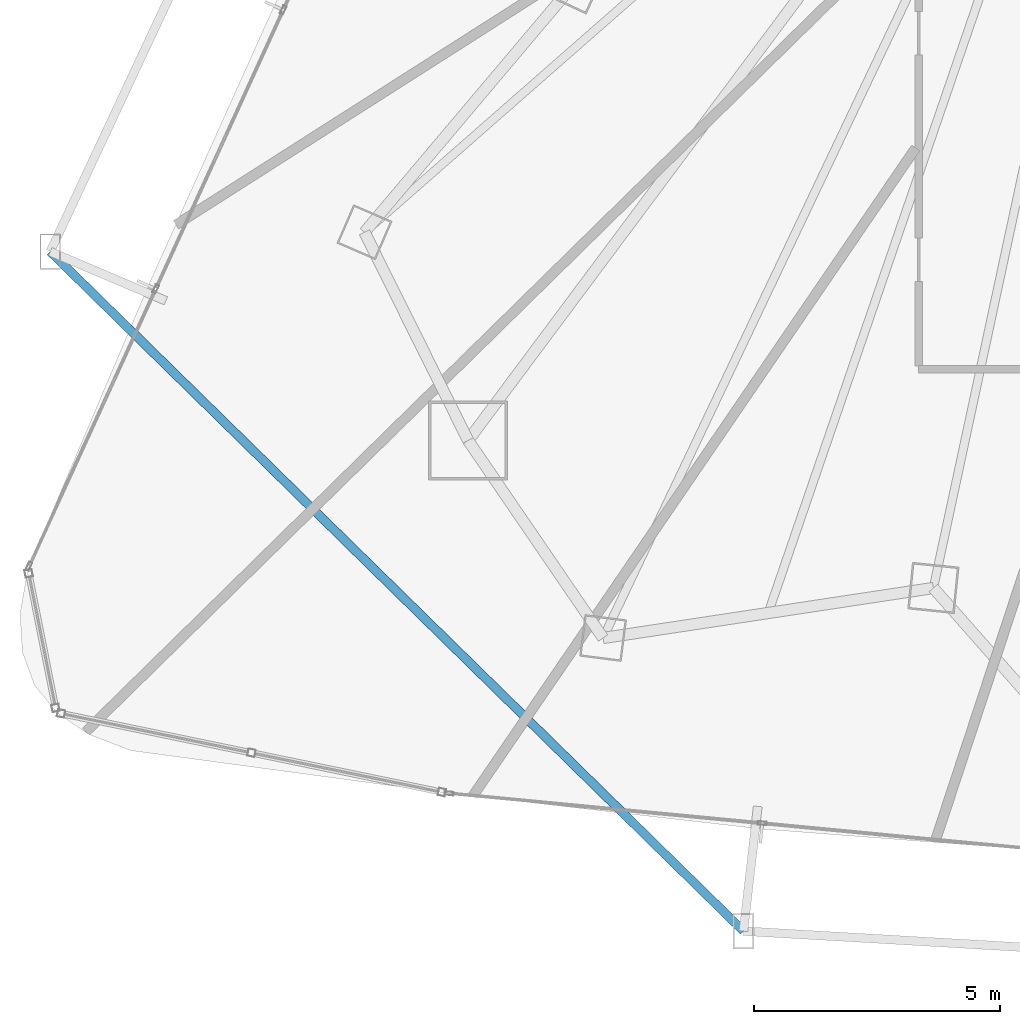
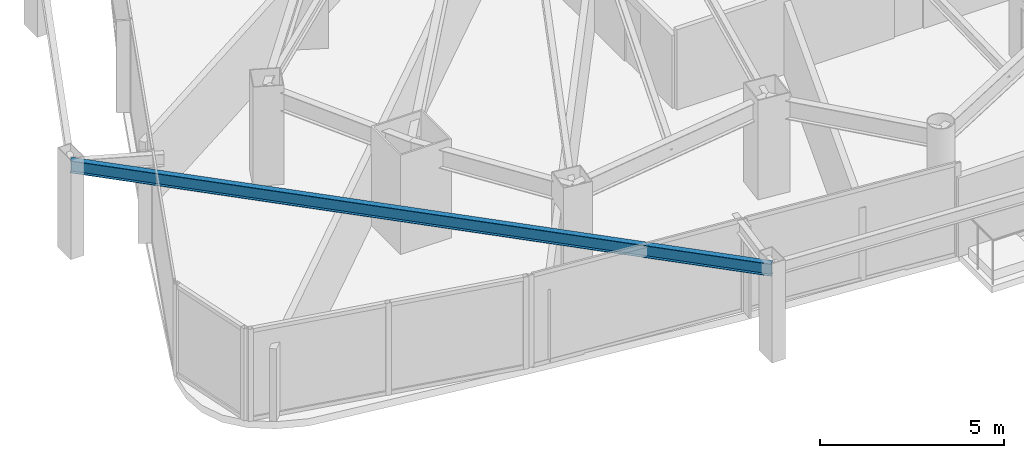
# One storey, part 3 of 34: 1 beam.
"""IFC4 building model written with IfcOpenShell, lengths in metres."""

from ifc_helpers import new_model, si_unit, direction, frame, origin, origin_2d, place, context, subcontext, project, spatial, i_section, extrude, material, material_profile, profile_set, type_object, element, save


model = new_model("IFC4")

# Units and contexts
model_context = context("Model", 3, precision=1e-05, world=origin(), true_north=direction((0.0, 1.0)))
body_context = subcontext(model_context, "Body", "Model", "MODEL_VIEW")
ifc_project = project(units=[si_unit("LENGTHUNIT", "METRE"), si_unit("AREAUNIT", "SQUARE_METRE"), si_unit("VOLUMEUNIT", "CUBIC_METRE"), si_unit("PLANEANGLEUNIT", "RADIAN"), si_unit("MASSUNIT", "GRAM", prefix="KILO")], contexts=[model_context])

# Site, building, storey
site_placement = place(None, origin())
site = spatial("IfcSite", under=ifc_project, at=site_placement, CompositionType="ELEMENT")
building_placement = place(site_placement, origin())
building = spatial("IfcBuilding", under=site, at=building_placement, Name="Orvanel Arch Residences", CompositionType="ELEMENT")
storey_placement = place(building_placement, frame((0.0, 0.0, 67.550048828125)))
storey = spatial("IfcBuildingStorey", under=building, at=storey_placement, Name="L18", CompositionType="ELEMENT", Elevation=67.550048828125)

# Beam
ifc_material = material(Name="Structural steel AS/NZS 3679.1 Grade 300 (300 MPa)", Category="steel")
ifc_material_profile = material_profile(ifc_material, i_section(OverallWidth=0.177978515625, OverallDepth=0.406005859375, WebThickness=0.0078125, FlangeThickness=0.0126953125, at=origin_2d()), Name="410UB59.7")
ifc_profile_set = profile_set([ifc_material_profile], Name="Structural steel AS/NZS 3679.1 Grade 300 (300 MPa)")
beam_type = type_object("IfcBeamType", Name="OB-410UB-EXT", PredefinedType="SPANDREL", material=ifc_profile_set)
beam_placement = place(storey_placement, frame((5.712890625, 14.18603515625, 2.85693359375), z_axis=(0.714148701174, -0.699994023269, 0.0), x_axis=(0.699994023269, 0.714148701174, 0.0)))
element("IfcBeam", 1, at=beam_placement, inside=storey, type_object=beam_type, Name="L18 Outer Perimeter Floor Ring Beam 04", PredefinedType="SPANDREL", context=body_context, shape_type="SweptSolid", body=[
    extrude(i_section(OverallWidth=0.177978515625, OverallDepth=0.406005859375, WebThickness=0.0078125, FlangeThickness=0.0126953125, at=origin_2d()), origin(), (0.0, 0.0, 1.0), 19.714599609375),
])

save(model, "model.ifc")
